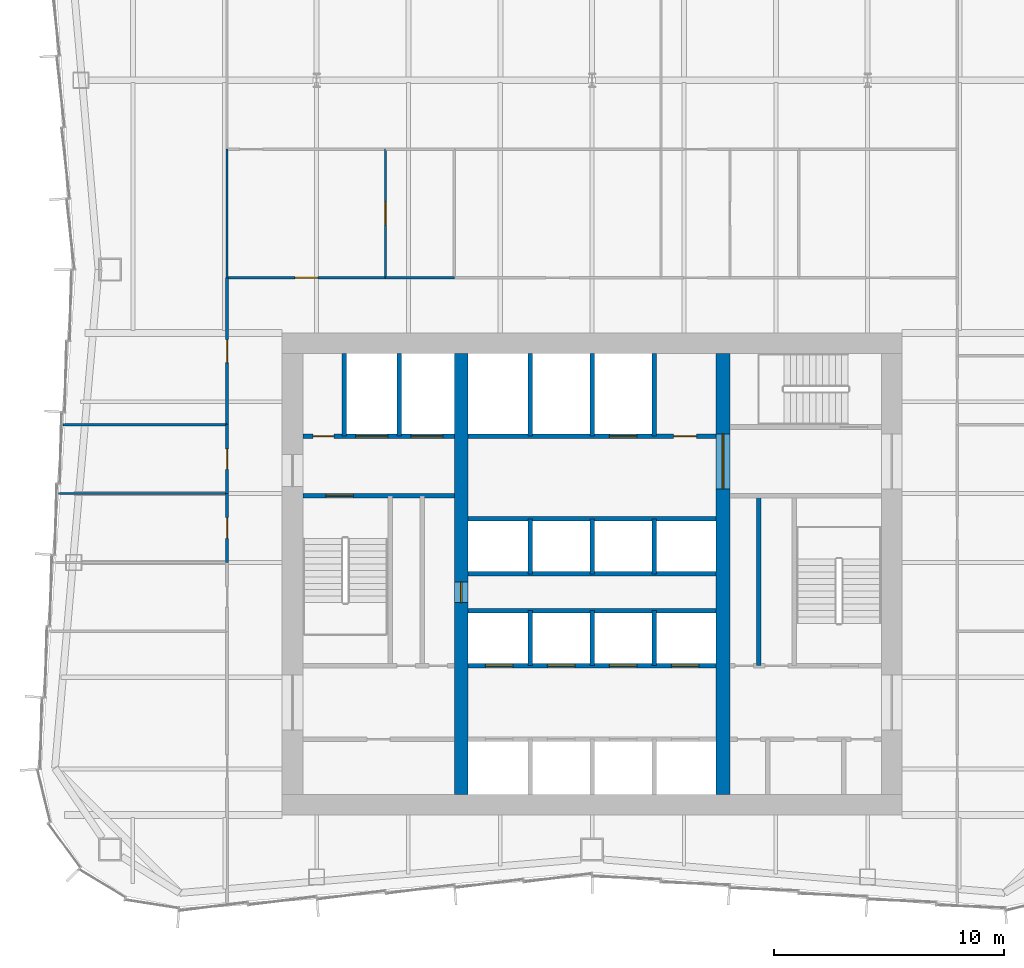
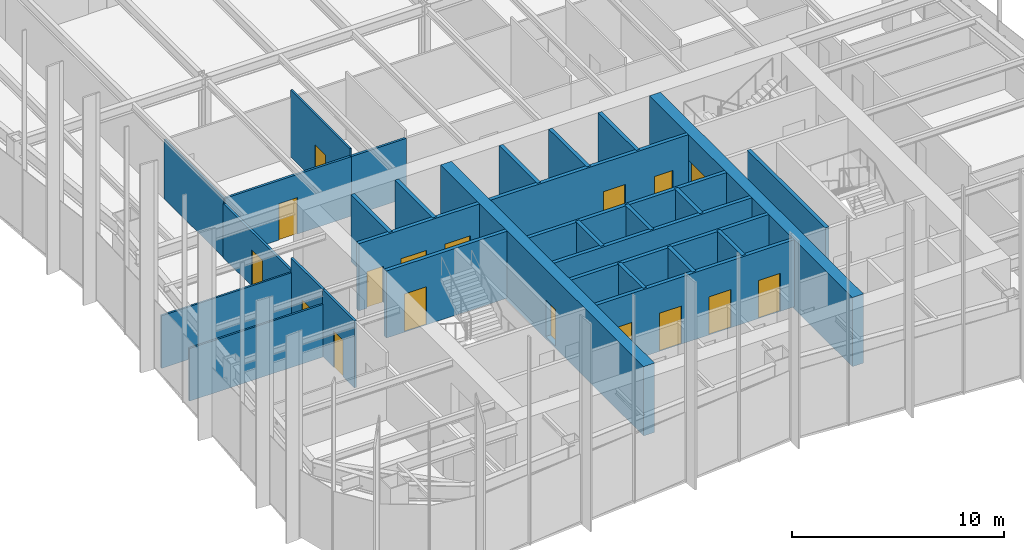
# One storey, part 10 of 13: 30 walls, 17 doors, 17 openings.
"""IFC4 building model written with IfcOpenShell, lengths in metres."""

from ifc_helpers import new_model, si_unit, direction, frame, frame_2d, origin, place, context, subcontext, project, spatial, rectangle, extrude, material, layer, layer_set, type_object, element, fill, save


model = new_model("IFC4")

# Units and contexts
model_context = context("Model", 3, precision=1e-05, world=origin(), true_north=direction((0.0, 1.0)))
body_context = subcontext(model_context, "Body", "Model", "MODEL_VIEW")
ifc_project = project(units=[si_unit("LENGTHUNIT", "METRE"), si_unit("AREAUNIT", "SQUARE_METRE"), si_unit("VOLUMEUNIT", "CUBIC_METRE"), si_unit("PLANEANGLEUNIT", "RADIAN"), si_unit("MASSUNIT", "GRAM", prefix="KILO")], contexts=[model_context])

# Site, building, storey
site_placement = place(None, origin())
site = spatial("IfcSite", under=ifc_project, at=site_placement, CompositionType="ELEMENT")
building_placement = place(site_placement, origin())
building = spatial("IfcBuilding", under=site, at=building_placement, Name="Verdant Reach Tower", CompositionType="ELEMENT")
storey_placement = place(building_placement, frame((0.0, 0.0, 182.0)))
storey = spatial("IfcBuildingStorey", under=building, at=storey_placement, Name="L41", CompositionType="ELEMENT", Elevation=182.0)

# Wall
ifc_material_1 = material(Name="Gypsum board on steel studs", Category="steel")
ifc_layer_1 = layer(ifc_material_1, 0.199951171875)
ifc_layer_set_1 = layer_set([ifc_layer_1], Name="CO-WALL-ROOM")
wall_type_1 = type_object("IfcWallType", Name="CO-WALL-ROOM", PredefinedType="PARTITIONING", material=ifc_layer_set_1)
wall_1_placement = place(storey_placement, frame((7.260009765625, 24.0, 0.0), z_axis=(0.0, 0.0, 1.0), x_axis=(0.0, 1.0, 0.0)))
element("IfcWall", 1, at=wall_1_placement, inside=storey, type_object=wall_type_1, Name="Core partition, L41", PredefinedType="PARTITIONING", context=body_context, shape_type="SweptSolid", body=[
    extrude(rectangle(XDim=7.39990234375, YDim=0.199951171875, at=frame_2d((3.699951171875, 0.0))), origin(), (0.0, 0.0, 1.0), 3.8701171875),
])

# Wall, openings, doors
ifc_material_2 = material(Name="Concrete C40/50", Category="concrete")
ifc_layer_2 = layer(ifc_material_2, 0.199951171875)
ifc_layer_set_2 = layer_set([ifc_layer_2], Name="CO-WALL-SHAFT")
wall_type_2 = type_object("IfcWallType", Name="CO-WALL-SHAFT", PredefinedType="PARTITIONING", material=ifc_layer_set_2)
wall_2_placement = place(storey_placement, frame((-5.39990234375, 24.0, 0.0), z_axis=(0.0, 0.0, 1.0), x_axis=(1.0, 0.0, 0.0)))
wall_2 = element("IfcWall", 2, at=wall_2_placement, inside=storey, type_object=wall_type_2, Name="Lift shaft wall, L41", PredefinedType="PARTITIONING", context=body_context, shape_type="SweptSolid", body=[
    extrude(rectangle(XDim=10.7998046875, YDim=0.199951171875, at=frame_2d((5.39990234375, 0.0))), origin(), (0.0, 0.0, 1.0), 3.8701171875),
])
opening_1_placement = place(wall_2_placement, frame((0.75, 0.0, 0.0)))
opening_1 = element("IfcOpeningElement", 3, at=opening_1_placement, cuts=wall_2, Name="Opening LD-A5", PredefinedType="OPENING", context=body_context, shape_type="SweptSolid", body=[
    extrude(rectangle(XDim=1.199951171875, YDim=2.199951171875, at=frame_2d((0.60009765625, 1.10009765625))), frame((0.0, 0.10986328125, 0.0), z_axis=(0.0, -1.0, 0.0), x_axis=(1.0, 0.0, 0.0)), (0.0, 0.0, 1.0), 0.219970703125),
])
opening_2_placement = place(wall_2_placement, frame((3.449951171875, 0.0, 0.0)))
opening_2 = element("IfcOpeningElement", 4, at=opening_2_placement, cuts=wall_2, Name="Opening LD-A6", PredefinedType="OPENING", context=body_context, shape_type="SweptSolid", body=[
    extrude(rectangle(XDim=1.199951171875, YDim=2.199951171875, at=frame_2d((0.60009765625, 1.10009765625))), frame((0.0, 0.10986328125, 0.0), z_axis=(0.0, -1.0, 0.0), x_axis=(1.0, 0.0, 0.0)), (0.0, 0.0, 1.0), 0.219970703125),
])
opening_3_placement = place(wall_2_placement, frame((6.14990234375, 0.0, 0.0)))
opening_3 = element("IfcOpeningElement", 5, at=opening_3_placement, cuts=wall_2, Name="Opening LD-A7", PredefinedType="OPENING", context=body_context, shape_type="SweptSolid", body=[
    extrude(rectangle(XDim=1.199951171875, YDim=2.199951171875, at=frame_2d((0.60009765625, 1.10009765625))), frame((0.0, 0.10986328125, 0.0), z_axis=(0.0, -1.0, 0.0), x_axis=(1.0, 0.0, 0.0)), (0.0, 0.0, 1.0), 0.219970703125),
])
opening_4_placement = place(wall_2_placement, frame((8.85009765625, 0.0, 0.0)))
opening_4 = element("IfcOpeningElement", 6, at=opening_4_placement, cuts=wall_2, Name="Opening LD-A8", PredefinedType="OPENING", context=body_context, shape_type="SweptSolid", body=[
    extrude(rectangle(XDim=1.199951171875, YDim=2.199951171875, at=frame_2d((0.60009765625, 1.10009765625))), frame((0.0, 0.10986328125, 0.0), z_axis=(0.0, -1.0, 0.0), x_axis=(1.0, 0.0, 0.0)), (0.0, 0.0, 1.0), 0.219970703125),
])
ifc_material_3 = material(Name="Stainless steel", Category="steel")
door_type_1 = type_object("IfcDoorType", Name="CO-DOOR-LANDING", OperationType="SLIDING_TO_LEFT", PredefinedType="DOOR", material=ifc_material_3)
door_1_placement = place(opening_1_placement, origin())
door_1 = element("IfcDoor", 7, at=door_1_placement, inside=storey, type_object=door_type_1, Name="Landing door A5, L41", OperationType="SLIDING_TO_LEFT", OverallHeight=2.199951171875, OverallWidth=1.199951171875, PredefinedType="DOOR", context=body_context, shape_type="SweptSolid", body=[
    extrude(rectangle(XDim=1.199951171875, YDim=2.199951171875, at=frame_2d((0.60009765625, 1.10009765625))), frame((0.0, 0.02490234375, 0.0), z_axis=(0.0, -1.0, 0.0), x_axis=(1.0, 0.0, 0.0)), (0.0, 0.0, 1.0), 0.050048828125),
])
fill(opening_1, door_1)
door_2_placement = place(opening_2_placement, origin())
door_2 = element("IfcDoor", 8, at=door_2_placement, inside=storey, type_object=door_type_1, Name="Landing door A6, L41", OperationType="SLIDING_TO_LEFT", OverallHeight=2.199951171875, OverallWidth=1.199951171875, PredefinedType="DOOR", context=body_context, shape_type="SweptSolid", body=[
    extrude(rectangle(XDim=1.199951171875, YDim=2.199951171875, at=frame_2d((0.60009765625, 1.10009765625))), frame((0.0, 0.02490234375, 0.0), z_axis=(0.0, -1.0, 0.0), x_axis=(1.0, 0.0, 0.0)), (0.0, 0.0, 1.0), 0.050048828125),
])
fill(opening_2, door_2)
door_3_placement = place(opening_3_placement, origin())
door_3 = element("IfcDoor", 9, at=door_3_placement, inside=storey, type_object=door_type_1, Name="Landing door A7, L41", OperationType="SLIDING_TO_LEFT", OverallHeight=2.199951171875, OverallWidth=1.199951171875, PredefinedType="DOOR", context=body_context, shape_type="SweptSolid", body=[
    extrude(rectangle(XDim=1.199951171875, YDim=2.199951171875, at=frame_2d((0.60009765625, 1.10009765625))), frame((0.0, 0.02490234375, 0.0), z_axis=(0.0, -1.0, 0.0), x_axis=(1.0, 0.0, 0.0)), (0.0, 0.0, 1.0), 0.050048828125),
])
fill(opening_3, door_3)
door_4_placement = place(opening_4_placement, origin())
door_4 = element("IfcDoor", 10, at=door_4_placement, inside=storey, type_object=door_type_1, Name="Landing door A8, L41", OperationType="SLIDING_TO_LEFT", OverallHeight=2.199951171875, OverallWidth=1.199951171875, PredefinedType="DOOR", context=body_context, shape_type="SweptSolid", body=[
    extrude(rectangle(XDim=1.199951171875, YDim=2.199951171875, at=frame_2d((0.60009765625, 1.10009765625))), frame((0.0, 0.02490234375, 0.0), z_axis=(0.0, -1.0, 0.0), x_axis=(1.0, 0.0, 0.0)), (0.0, 0.0, 1.0), 0.050048828125),
])
fill(opening_4, door_4)

# Walls
for number, where, z_axis, x_axis, name in (
    (11, (-5.39990234375, 26.39990234375, 0.0), (0.0, 0.0, 1.0), (1.0, 0.0, 0.0), "Lift shaft wall, L41"),
    (12, (-5.39990234375, 28.0, 0.0), (0.0, 0.0, 1.0), (1.0, 0.0, 0.0), "Lift shaft wall, L41"),
    (13, (-5.39990234375, 30.39990234375, 0.0), (0.0, 0.0, 1.0), (1.0, 0.0, 0.0), "Lift shaft wall, L41"),
):
    element("IfcWall", number, at=place(storey_placement, frame(where, z_axis=z_axis, x_axis=x_axis)), inside=storey, type_object=wall_type_2, Name=name, PredefinedType="PARTITIONING", context=body_context, shape_type="SweptSolid", body=[
        extrude(rectangle(XDim=10.7998046875, YDim=0.199951171875, at=frame_2d((5.39990234375, 0.0))), origin(), (0.0, 0.0, 1.0), 3.8701171875),
    ])

# Wall, openings, doors
wall_3_placement = place(storey_placement, frame((-12.60009765625, 34.0, 0.0), z_axis=(0.0, 0.0, 1.0), x_axis=(1.0, 0.0, 0.0)))
wall_3 = element("IfcWall", 14, at=wall_3_placement, inside=storey, type_object=wall_type_2, Name="Lift shaft wall, L41", PredefinedType="PARTITIONING", context=body_context, shape_type="SweptSolid", body=[
    extrude(rectangle(XDim=6.60009765625, YDim=0.199951171875, at=frame_2d((3.300048828125, 0.0))), origin(), (0.0, 0.0, 1.0), 3.8701171875),
])
opening_5_placement = place(wall_3_placement, frame((4.699951171875, 0.0, 0.0)))
opening_5 = element("IfcOpeningElement", 15, at=opening_5_placement, cuts=wall_3, Name="Opening LD-F1", PredefinedType="OPENING", context=body_context, shape_type="SweptSolid", body=[
    extrude(rectangle(XDim=1.39990234375, YDim=2.199951171875, at=frame_2d((0.699951171875, 1.10009765625))), frame((0.0, 0.10986328125, 0.0), z_axis=(0.0, -1.0, 0.0), x_axis=(1.0, 0.0, 0.0)), (0.0, 0.0, 1.0), 0.219970703125),
])
opening_6_placement = place(wall_3_placement, frame((2.300048828125, 0.0, 0.0)))
opening_6 = element("IfcOpeningElement", 16, at=opening_6_placement, cuts=wall_3, Name="Opening LD-F2", PredefinedType="OPENING", context=body_context, shape_type="SweptSolid", body=[
    extrude(rectangle(XDim=1.39990234375, YDim=2.199951171875, at=frame_2d((0.699951171875, 1.10009765625))), frame((0.0, 0.10986328125, 0.0), z_axis=(0.0, -1.0, 0.0), x_axis=(1.0, 0.0, 0.0)), (0.0, 0.0, 1.0), 0.219970703125),
])
opening_7_placement = place(wall_3_placement, frame((0.449951171875, 0.0, 0.0)))
opening_7 = element("IfcOpeningElement", 17, at=opening_7_placement, cuts=wall_3, Name="Opening RD", PredefinedType="OPENING", context=body_context, shape_type="SweptSolid", body=[
    extrude(rectangle(XDim=0.89990234375, YDim=2.10009765625, at=frame_2d((0.449951171875, 1.050048828125))), frame((0.0, 0.10986328125, 0.0), z_axis=(0.0, -1.0, 0.0), x_axis=(1.0, 0.0, 0.0)), (0.0, 0.0, 1.0), 0.219970703125),
])
door_type_2 = type_object("IfcDoorType", Name="CO-DOOR-LANDING-FF", OperationType="SLIDING_TO_LEFT", PredefinedType="DOOR", material=ifc_material_3)
door_5_placement = place(opening_5_placement, origin())
door_5 = element("IfcDoor", 18, at=door_5_placement, inside=storey, type_object=door_type_2, Name="Landing door F1, L41", OperationType="SLIDING_TO_LEFT", OverallHeight=2.199951171875, OverallWidth=1.39990234375, PredefinedType="DOOR", context=body_context, shape_type="SweptSolid", body=[
    extrude(rectangle(XDim=1.39990234375, YDim=2.199951171875, at=frame_2d((0.699951171875, 1.10009765625))), frame((0.0, 0.02490234375, 0.0), z_axis=(0.0, -1.0, 0.0), x_axis=(1.0, 0.0, 0.0)), (0.0, 0.0, 1.0), 0.050048828125),
])
fill(opening_5, door_5)
door_6_placement = place(opening_6_placement, origin())
door_6 = element("IfcDoor", 19, at=door_6_placement, inside=storey, type_object=door_type_2, Name="Landing door F2, L41", OperationType="SLIDING_TO_LEFT", OverallHeight=2.199951171875, OverallWidth=1.39990234375, PredefinedType="DOOR", context=body_context, shape_type="SweptSolid", body=[
    extrude(rectangle(XDim=1.39990234375, YDim=2.199951171875, at=frame_2d((0.699951171875, 1.10009765625))), frame((0.0, 0.02490234375, 0.0), z_axis=(0.0, -1.0, 0.0), x_axis=(1.0, 0.0, 0.0)), (0.0, 0.0, 1.0), 0.050048828125),
])
fill(opening_6, door_6)
ifc_material_4 = material(Name="Steel", Category="steel")
door_type_3 = type_object("IfcDoorType", Name="CO-DOOR-RISER", OperationType="NOTDEFINED", PredefinedType="DOOR", material=ifc_material_4)
door_7_placement = place(opening_7_placement, origin())
door_7 = element("IfcDoor", 20, at=door_7_placement, inside=storey, type_object=door_type_3, Name="Core room door, L41", OperationType="SINGLE_SWING_RIGHT", OverallHeight=2.10009765625, OverallWidth=0.89990234375, PredefinedType="DOOR", context=body_context, shape_type="SweptSolid", body=[
    extrude(rectangle(XDim=0.89990234375, YDim=2.10009765625, at=frame_2d((0.449951171875, 1.050048828125))), frame((0.0, 0.02490234375, 0.0), z_axis=(0.0, -1.0, 0.0), x_axis=(1.0, 0.0, 0.0)), (0.0, 0.0, 1.0), 0.050048828125),
])
fill(opening_7, door_7)

wall_4_placement = place(storey_placement, frame((-5.39990234375, 34.0, 0.0), z_axis=(0.0, 0.0, 1.0), x_axis=(1.0, 0.0, 0.0)))
wall_4 = element("IfcWall", 21, at=wall_4_placement, inside=storey, type_object=wall_type_2, Name="Lift shaft wall, L41", PredefinedType="PARTITIONING", context=body_context, shape_type="SweptSolid", body=[
    extrude(rectangle(XDim=10.7998046875, YDim=0.199951171875, at=frame_2d((5.39990234375, 0.0))), origin(), (0.0, 0.0, 1.0), 3.8701171875),
])
opening_8_placement = place(wall_4_placement, frame((6.14990234375, 0.0, 0.0)))
opening_8 = element("IfcOpeningElement", 22, at=opening_8_placement, cuts=wall_4, Name="Opening LD-SL1", PredefinedType="OPENING", context=body_context, shape_type="SweptSolid", body=[
    extrude(rectangle(XDim=1.199951171875, YDim=2.199951171875, at=frame_2d((0.60009765625, 1.10009765625))), frame((0.0, 0.10986328125, 0.0), z_axis=(0.0, -1.0, 0.0), x_axis=(1.0, 0.0, 0.0)), (0.0, 0.0, 1.0), 0.219970703125),
])
opening_9_placement = place(wall_4_placement, frame((8.949951171875, 0.0, 0.0)))
opening_9 = element("IfcOpeningElement", 23, at=opening_9_placement, cuts=wall_4, Name="Opening CD", PredefinedType="OPENING", context=body_context, shape_type="SweptSolid", body=[
    extrude(rectangle(XDim=1.0, YDim=2.10009765625, at=frame_2d((0.5, 1.050048828125))), frame((0.0, 0.10986328125, 0.0), z_axis=(0.0, -1.0, 0.0), x_axis=(1.0, 0.0, 0.0)), (0.0, 0.0, 1.0), 0.219970703125),
])
door_8_placement = place(opening_8_placement, origin())
door_8 = element("IfcDoor", 24, at=door_8_placement, inside=storey, type_object=door_type_1, Name="Landing door SL1, L41", OperationType="SLIDING_TO_LEFT", OverallHeight=2.199951171875, OverallWidth=1.199951171875, PredefinedType="DOOR", context=body_context, shape_type="SweptSolid", body=[
    extrude(rectangle(XDim=1.199951171875, YDim=2.199951171875, at=frame_2d((0.60009765625, 1.10009765625))), frame((0.0, 0.02490234375, 0.0), z_axis=(0.0, -1.0, 0.0), x_axis=(1.0, 0.0, 0.0)), (0.0, 0.0, 1.0), 0.050048828125),
])
fill(opening_8, door_8)
ifc_material_5 = material(Name="Timber", Category="wood")
door_type_4 = type_object("IfcDoorType", Name="CO-DOOR-ROOM", OperationType="NOTDEFINED", PredefinedType="DOOR", material=ifc_material_5)
door_9_placement = place(opening_9_placement, origin())
door_9 = element("IfcDoor", 25, at=door_9_placement, inside=storey, type_object=door_type_4, Name="Core room door, L41", OperationType="SINGLE_SWING_LEFT", OverallHeight=2.10009765625, OverallWidth=1.0, PredefinedType="DOOR", context=body_context, shape_type="SweptSolid", body=[
    extrude(rectangle(XDim=1.0, YDim=2.10009765625, at=frame_2d((0.5, 1.050048828125))), frame((0.0, 0.02490234375, 0.0), z_axis=(0.0, -1.0, 0.0), x_axis=(1.0, 0.0, 0.0)), (0.0, 0.0, 1.0), 0.050048828125),
])
fill(opening_9, door_9)

# Walls
for number, where, z_axis, x_axis, name in (
    (26, (-10.800048828125, 34.0, 0.0), (0.0, 0.0, 1.0), (0.0, 1.0, 0.0), "Lift shaft wall, L41"),
    (27, (-8.39990234375, 34.0, 0.0), (0.0, 0.0, 1.0), (0.0, 1.0, 0.0), "Lift shaft wall, L41"),
):
    element("IfcWall", number, at=place(storey_placement, frame(where, z_axis=z_axis, x_axis=x_axis)), inside=storey, type_object=wall_type_2, Name=name, PredefinedType="PARTITIONING", context=body_context, shape_type="SweptSolid", body=[
        extrude(rectangle(XDim=3.60009765625, YDim=0.199951171875, at=frame_2d((1.800048828125, 0.0))), origin(), (0.0, 0.0, 1.0), 3.8701171875),
    ])
for number, where, z_axis, x_axis, name in (
    (28, (-2.699951171875, 24.0, 0.0), (0.0, 0.0, 1.0), (0.0, 1.0, 0.0), "Lift shaft wall, L41"),
    (29, (-2.699951171875, 28.0, 0.0), (0.0, 0.0, 1.0), (0.0, 1.0, 0.0), "Lift shaft wall, L41"),
):
    element("IfcWall", number, at=place(storey_placement, frame(where, z_axis=z_axis, x_axis=x_axis)), inside=storey, type_object=wall_type_2, Name=name, PredefinedType="PARTITIONING", context=body_context, shape_type="SweptSolid", body=[
        extrude(rectangle(XDim=2.39990234375, YDim=0.199951171875, at=frame_2d((1.199951171875, 0.0))), origin(), (0.0, 0.0, 1.0), 3.8701171875),
    ])
wall_5_placement = place(storey_placement, frame((-2.699951171875, 34.0, 0.0), z_axis=(0.0, 0.0, 1.0), x_axis=(0.0, 1.0, 0.0)))
element("IfcWall", 30, at=wall_5_placement, inside=storey, type_object=wall_type_2, Name="Lift shaft wall, L41", PredefinedType="PARTITIONING", context=body_context, shape_type="SweptSolid", body=[
    extrude(rectangle(XDim=3.60009765625, YDim=0.199951171875, at=frame_2d((1.800048828125, 0.0))), origin(), (0.0, 0.0, 1.0), 3.8701171875),
])
for number, where, z_axis, x_axis, name in (
    (31, (0.0, 24.0, 0.0), (0.0, 0.0, 1.0), (0.0, 1.0, 0.0), "Lift shaft wall, L41"),
    (32, (0.0, 28.0, 0.0), (0.0, 0.0, 1.0), (0.0, 1.0, 0.0), "Lift shaft wall, L41"),
):
    element("IfcWall", number, at=place(storey_placement, frame(where, z_axis=z_axis, x_axis=x_axis)), inside=storey, type_object=wall_type_2, Name=name, PredefinedType="PARTITIONING", context=body_context, shape_type="SweptSolid", body=[
        extrude(rectangle(XDim=2.39990234375, YDim=0.199951171875, at=frame_2d((1.199951171875, 0.0))), origin(), (0.0, 0.0, 1.0), 3.8701171875),
    ])
wall_6_placement = place(storey_placement, frame((0.0, 34.0, 0.0), z_axis=(0.0, 0.0, 1.0), x_axis=(0.0, 1.0, 0.0)))
element("IfcWall", 33, at=wall_6_placement, inside=storey, type_object=wall_type_2, Name="Lift shaft wall, L41", PredefinedType="PARTITIONING", context=body_context, shape_type="SweptSolid", body=[
    extrude(rectangle(XDim=3.60009765625, YDim=0.199951171875, at=frame_2d((1.800048828125, 0.0))), origin(), (0.0, 0.0, 1.0), 3.8701171875),
])
for number, where, z_axis, x_axis, name in (
    (34, (2.699951171875, 24.0, 0.0), (0.0, 0.0, 1.0), (0.0, 1.0, 0.0), "Lift shaft wall, L41"),
    (35, (2.699951171875, 28.0, 0.0), (0.0, 0.0, 1.0), (0.0, 1.0, 0.0), "Lift shaft wall, L41"),
):
    element("IfcWall", number, at=place(storey_placement, frame(where, z_axis=z_axis, x_axis=x_axis)), inside=storey, type_object=wall_type_2, Name=name, PredefinedType="PARTITIONING", context=body_context, shape_type="SweptSolid", body=[
        extrude(rectangle(XDim=2.39990234375, YDim=0.199951171875, at=frame_2d((1.199951171875, 0.0))), origin(), (0.0, 0.0, 1.0), 3.8701171875),
    ])
wall_7_placement = place(storey_placement, frame((2.699951171875, 34.0, 0.0), z_axis=(0.0, 0.0, 1.0), x_axis=(0.0, 1.0, 0.0)))
element("IfcWall", 36, at=wall_7_placement, inside=storey, type_object=wall_type_2, Name="Lift shaft wall, L41", PredefinedType="PARTITIONING", context=body_context, shape_type="SweptSolid", body=[
    extrude(rectangle(XDim=3.60009765625, YDim=0.199951171875, at=frame_2d((1.800048828125, 0.0))), origin(), (0.0, 0.0, 1.0), 3.8701171875),
])

# Wall, opening, door
ifc_layer_3 = layer(ifc_material_2, 0.199951171875)
ifc_layer_set_3 = layer_set([ifc_layer_3], Name="CO-WALL-STAIR")
wall_type_3 = type_object("IfcWallType", Name="CO-WALL-STAIR", PredefinedType="PARTITIONING", material=ifc_layer_set_3)
wall_8_placement = place(storey_placement, frame((-12.60009765625, 31.39990234375, 0.0), z_axis=(0.0, 0.0, 1.0), x_axis=(1.0, 0.0, 0.0)))
wall_8 = element("IfcWall", 37, at=wall_8_placement, inside=storey, type_object=wall_type_3, Name="Stair enclosure wall, L41", PredefinedType="PARTITIONING", context=body_context, shape_type="SweptSolid", body=[
    extrude(rectangle(XDim=6.60009765625, YDim=0.199951171875, at=frame_2d((3.300048828125, 0.0))), origin(), (0.0, 0.0, 1.0), 3.8701171875),
])
opening_10_placement = place(wall_8_placement, frame((1.0, 0.0, 0.0)))
opening_10 = element("IfcOpeningElement", 38, at=opening_10_placement, cuts=wall_8, Name="Opening SD", PredefinedType="OPENING", context=body_context, shape_type="SweptSolid", body=[
    extrude(rectangle(XDim=1.199951171875, YDim=2.199951171875, at=frame_2d((0.60009765625, 1.10009765625))), frame((0.0, 0.10986328125, 0.0), z_axis=(0.0, -1.0, 0.0), x_axis=(1.0, 0.0, 0.0)), (0.0, 0.0, 1.0), 0.219970703125),
])
door_type_5 = type_object("IfcDoorType", Name="CO-DOOR-STAIR", OperationType="NOTDEFINED", PredefinedType="DOOR", material=ifc_material_4)
door_10_placement = place(opening_10_placement, origin())
door_10 = element("IfcDoor", 39, at=door_10_placement, inside=storey, type_object=door_type_5, Name="Stair door, L41", OperationType="SINGLE_SWING_RIGHT", OverallHeight=2.199951171875, OverallWidth=1.199951171875, PredefinedType="DOOR", context=body_context, shape_type="SweptSolid", body=[
    extrude(rectangle(XDim=1.199951171875, YDim=2.199951171875, at=frame_2d((0.60009765625, 1.10009765625))), frame((0.0, 0.02490234375, 0.0), z_axis=(0.0, -1.0, 0.0), x_axis=(1.0, 0.0, 0.0)), (0.0, 0.0, 1.0), 0.050048828125),
])
fill(opening_10, door_10)

ifc_layer_4 = layer(ifc_material_1, 0.10009765625)
ifc_layer_set_4 = layer_set([ifc_layer_4], Name="FL-W1 Partition 100")
wall_type_4 = type_object("IfcWallType", Name="FL-W1 Partition 100", PredefinedType="PARTITIONING", material=ifc_layer_set_4)
wall_9_placement = place(storey_placement, frame((-9.0, 46.5, 0.0), z_axis=(0.0, 0.0, 1.0), x_axis=(0.0, -1.0, 0.0)))
wall_9 = element("IfcWall", 40, at=wall_9_placement, inside=storey, type_object=wall_type_4, Name="Partition 41.16", PredefinedType="PARTITIONING", context=body_context, shape_type="SweptSolid", body=[
    extrude(rectangle(XDim=5.60009765625, YDim=0.10009765625, at=frame_2d((2.800048828125, 0.0))), origin(), (0.0, 0.0, 1.0), 3.8701171875),
])
opening_11_placement = place(wall_9_placement, frame((2.300048828125, 0.0, 0.0)))
opening_11 = element("IfcOpeningElement", 41, at=opening_11_placement, cuts=wall_9, Name="Opening D3", PredefinedType="OPENING", context=body_context, shape_type="SweptSolid", body=[
    extrude(rectangle(XDim=1.0, YDim=2.10009765625, at=frame_2d((0.5, 1.050048828125))), frame((0.0, 0.06005859375, 0.0), z_axis=(0.0, -1.0, 0.0), x_axis=(1.0, 0.0, 0.0)), (0.0, 0.0, 1.0), 0.1201171875),
])
ifc_material_6 = material(Name="Painted timber door leaf", Category="wood")
door_type_6 = type_object("IfcDoorType", Name="FL-D3 Door 1000x2100", OperationType="NOTDEFINED", PredefinedType="DOOR", material=ifc_material_6)
door_11_placement = place(opening_11_placement, origin())
door_11 = element("IfcDoor", 42, at=door_11_placement, inside=storey, type_object=door_type_6, Name="Door 41-014", OperationType="SINGLE_SWING_RIGHT", OverallHeight=2.10009765625, OverallWidth=1.0, PredefinedType="DOOR", context=body_context, shape_type="SweptSolid", body=[
    extrude(rectangle(XDim=1.0, YDim=2.10009765625, at=frame_2d((0.5, 1.050048828125))), frame((0.0, 0.02490234375, 0.0), z_axis=(0.0, -1.0, 0.0), x_axis=(1.0, 0.0, 0.0)), (0.0, 0.0, 1.0), 0.050048828125),
])
fill(opening_11, door_11)

# Walls
wall_10_placement = place(storey_placement, frame((-15.89990234375, 46.50390625, 0.0), z_axis=(0.0, 0.0, 1.0), x_axis=(0.0, -1.0, 0.0)))
element("IfcWall", 43, at=wall_10_placement, inside=storey, type_object=wall_type_4, Name="Partition 41.18", PredefinedType="PARTITIONING", context=body_context, shape_type="SweptSolid", body=[
    extrude(rectangle(XDim=5.60791015625, YDim=0.10009765625, at=frame_2d((2.803955078125, 0.0))), origin(), (0.0, 0.0, 1.0), 3.43994140625),
])
wall_11_placement = place(storey_placement, frame((-15.89990234375, 31.5, 0.0), z_axis=(0.0, 0.0, 1.0), x_axis=(-1.0, 0.0, 0.0)))
element("IfcWall", 44, at=wall_11_placement, inside=storey, type_object=wall_type_4, Name="Partition 41.41", PredefinedType="PARTITIONING", context=body_context, shape_type="SweptSolid", body=[
    extrude(rectangle(XDim=7.3525390625, YDim=0.10009765625, at=frame_2d((3.67626953125, 0.0))), origin(), (0.0, 0.0, 1.0), 3.0400390625),
])
wall_12_placement = place(storey_placement, frame((-15.89990234375, 34.5, 0.0), z_axis=(0.0, 0.0, 1.0), x_axis=(-1.0, 0.0, 0.0)))
element("IfcWall", 45, at=wall_12_placement, inside=storey, type_object=wall_type_4, Name="Partition 41.42", PredefinedType="PARTITIONING", context=body_context, shape_type="SweptSolid", body=[
    extrude(rectangle(XDim=7.1455078125, YDim=0.10009765625, at=frame_2d((3.57275390625, 0.0))), origin(), (0.0, 0.0, 1.0), 3.0400390625),
])

# Wall, opening, door
ifc_material_7 = material(Name="Gypsum board on steel studs, fire rated", Category="steel")
ifc_layer_5 = layer(ifc_material_7, 0.125)
ifc_layer_set_5 = layer_set([ifc_layer_5], Name="FL-W2 Corridor wall 125")
wall_type_5 = type_object("IfcWallType", Name="FL-W2 Corridor wall 125", PredefinedType="PARTITIONING", material=ifc_layer_set_5)
wall_13_placement = place(storey_placement, frame((-15.89990234375, 40.89990234375, 0.0), z_axis=(0.0, 0.0, 1.0), x_axis=(1.0, 0.0, 0.0)))
wall_13 = element("IfcWall", 46, at=wall_13_placement, inside=storey, type_object=wall_type_5, Name="Partition 41.01", PredefinedType="PARTITIONING", context=body_context, shape_type="SweptSolid", body=[
    extrude(rectangle(XDim=6.89990234375, YDim=0.125, at=frame_2d((3.449951171875, 0.0))), origin(), (0.0, 0.0, 1.0), 3.43994140625),
])
opening_12_placement = place(wall_13_placement, frame((2.949951171875, 0.0, 0.0)))
opening_12 = element("IfcOpeningElement", 47, at=opening_12_placement, cuts=wall_13, Name="Opening D2", PredefinedType="OPENING", context=body_context, shape_type="SweptSolid", body=[
    extrude(rectangle(XDim=1.0, YDim=2.10009765625, at=frame_2d((0.5, 1.050048828125))), frame((0.0, 0.072509765625, 0.0), z_axis=(0.0, -1.0, 0.0), x_axis=(1.0, 0.0, 0.0)), (0.0, 0.0, 1.0), 0.14501953125),
])
ifc_material_8 = material(Name="Timber door leaf, fire rated", Category="wood")
door_type_7 = type_object("IfcDoorType", Name="FL-D2 Entrance door 1000x2100 FD30", OperationType="NOTDEFINED", PredefinedType="DOOR", material=ifc_material_8)
door_12_placement = place(opening_12_placement, origin())
door_12 = element("IfcDoor", 48, at=door_12_placement, inside=storey, type_object=door_type_7, Name="Door 41-001", OperationType="SINGLE_SWING_LEFT", OverallHeight=2.10009765625, OverallWidth=1.0, PredefinedType="DOOR", context=body_context, shape_type="SweptSolid", body=[
    extrude(rectangle(XDim=1.0, YDim=2.10009765625, at=frame_2d((0.5, 1.050048828125))), frame((0.0, 0.02490234375, 0.0), z_axis=(0.0, -1.0, 0.0), x_axis=(1.0, 0.0, 0.0)), (0.0, 0.0, 1.0), 0.050048828125),
])
fill(opening_12, door_12)

# Wall
wall_14_placement = place(storey_placement, frame((-6.0, 40.89990234375, 0.0), z_axis=(0.0, 0.0, 1.0), x_axis=(-1.0, 0.0, 0.0)))
element("IfcWall", 49, at=wall_14_placement, inside=storey, type_object=wall_type_5, Name="Partition 41.02", PredefinedType="PARTITIONING", context=body_context, shape_type="SweptSolid", body=[
    extrude(rectangle(XDim=3.0, YDim=0.125, at=frame_2d((1.5, 0.0))), origin(), (0.0, 0.0, 1.0), 3.43994140625),
])

# Wall, opening, door
wall_15_placement = place(storey_placement, frame((-15.89990234375, 28.5, 0.0), z_axis=(0.0, 0.0, 1.0), x_axis=(0.0, 1.0, 0.0)))
wall_15 = element("IfcWall", 50, at=wall_15_placement, inside=storey, type_object=wall_type_5, Name="Partition 41.09", PredefinedType="PARTITIONING", context=body_context, shape_type="SweptSolid", body=[
    extrude(rectangle(XDim=3.0, YDim=0.125, at=frame_2d((1.5, 0.0))), origin(), (0.0, 0.0, 1.0), 3.8701171875),
])
opening_13_placement = place(wall_15_placement, frame((1.050048828125, 0.0, 0.0)))
opening_13 = element("IfcOpeningElement", 51, at=opening_13_placement, cuts=wall_15, Name="Opening D1", PredefinedType="OPENING", context=body_context, shape_type="SweptSolid", body=[
    extrude(rectangle(XDim=0.89990234375, YDim=2.10009765625, at=frame_2d((0.449951171875, 1.050048828125))), frame((0.0, 0.072509765625, 0.0), z_axis=(0.0, -1.0, 0.0), x_axis=(1.0, 0.0, 0.0)), (0.0, 0.0, 1.0), 0.14501953125),
])
door_type_8 = type_object("IfcDoorType", Name="FL-D1 Door 900x2100", OperationType="NOTDEFINED", PredefinedType="DOOR", material=ifc_material_6)
door_13_placement = place(opening_13_placement, origin())
door_13 = element("IfcDoor", 52, at=door_13_placement, inside=storey, type_object=door_type_8, Name="Door 41-007", OperationType="SINGLE_SWING_LEFT", OverallHeight=2.10009765625, OverallWidth=0.89990234375, PredefinedType="DOOR", context=body_context, shape_type="SweptSolid", body=[
    extrude(rectangle(XDim=0.89990234375, YDim=2.10009765625, at=frame_2d((0.449951171875, 1.050048828125))), frame((0.0, 0.02490234375, 0.0), z_axis=(0.0, -1.0, 0.0), x_axis=(1.0, 0.0, 0.0)), (0.0, 0.0, 1.0), 0.050048828125),
])
fill(opening_13, door_13)

wall_16_placement = place(storey_placement, frame((-15.89990234375, 31.5, 0.0), z_axis=(0.0, 0.0, 1.0), x_axis=(0.0, 1.0, 0.0)))
wall_16 = element("IfcWall", 53, at=wall_16_placement, inside=storey, type_object=wall_type_5, Name="Partition 41.10", PredefinedType="PARTITIONING", context=body_context, shape_type="SweptSolid", body=[
    extrude(rectangle(XDim=3.0, YDim=0.125, at=frame_2d((1.5, 0.0))), origin(), (0.0, 0.0, 1.0), 3.8701171875),
])
opening_14_placement = place(wall_16_placement, frame((1.050048828125, 0.0, 0.0)))
opening_14 = element("IfcOpeningElement", 54, at=opening_14_placement, cuts=wall_16, Name="Opening D1", PredefinedType="OPENING", context=body_context, shape_type="SweptSolid", body=[
    extrude(rectangle(XDim=0.89990234375, YDim=2.10009765625, at=frame_2d((0.449951171875, 1.050048828125))), frame((0.0, 0.072509765625, 0.0), z_axis=(0.0, -1.0, 0.0), x_axis=(1.0, 0.0, 0.0)), (0.0, 0.0, 1.0), 0.14501953125),
])
door_14_placement = place(opening_14_placement, origin())
door_14 = element("IfcDoor", 55, at=door_14_placement, inside=storey, type_object=door_type_8, Name="Door 41-008", OperationType="SINGLE_SWING_RIGHT", OverallHeight=2.10009765625, OverallWidth=0.89990234375, PredefinedType="DOOR", context=body_context, shape_type="SweptSolid", body=[
    extrude(rectangle(XDim=0.89990234375, YDim=2.10009765625, at=frame_2d((0.449951171875, 1.050048828125))), frame((0.0, 0.02490234375, 0.0), z_axis=(0.0, -1.0, 0.0), x_axis=(1.0, 0.0, 0.0)), (0.0, 0.0, 1.0), 0.050048828125),
])
fill(opening_14, door_14)

wall_17_placement = place(storey_placement, frame((-15.89990234375, 34.5, 0.0), z_axis=(0.0, 0.0, 1.0), x_axis=(0.0, 1.0, 0.0)))
wall_17 = element("IfcWall", 56, at=wall_17_placement, inside=storey, type_object=wall_type_5, Name="Partition 41.11", PredefinedType="PARTITIONING", context=body_context, shape_type="SweptSolid", body=[
    extrude(rectangle(XDim=6.404052734375, YDim=0.125, at=frame_2d((3.2021484375, 0.0))), origin(), (0.0, 0.0, 1.0), 3.139892578125),
])
opening_15_placement = place(wall_17_placement, frame((2.701904296875, 0.0, 0.0)))
opening_15 = element("IfcOpeningElement", 57, at=opening_15_placement, cuts=wall_17, Name="Opening D2", PredefinedType="OPENING", context=body_context, shape_type="SweptSolid", body=[
    extrude(rectangle(XDim=1.0, YDim=2.10009765625, at=frame_2d((0.5, 1.050048828125))), frame((0.0, 0.072509765625, 0.0), z_axis=(0.0, -1.0, 0.0), x_axis=(1.0, 0.0, 0.0)), (0.0, 0.0, 1.0), 0.14501953125),
])
door_15_placement = place(opening_15_placement, origin())
door_15 = element("IfcDoor", 58, at=door_15_placement, inside=storey, type_object=door_type_7, Name="Door 41-009", OperationType="SINGLE_SWING_LEFT", OverallHeight=2.10009765625, OverallWidth=1.0, PredefinedType="DOOR", context=body_context, shape_type="SweptSolid", body=[
    extrude(rectangle(XDim=1.0, YDim=2.10009765625, at=frame_2d((0.5, 1.050048828125))), frame((0.0, 0.02490234375, 0.0), z_axis=(0.0, -1.0, 0.0), x_axis=(1.0, 0.0, 0.0)), (0.0, 0.0, 1.0), 0.050048828125),
])
fill(opening_15, door_15)

ifc_material_9 = material(Name="Concrete C70/85", Category="concrete")
ifc_layer_6 = layer(ifc_material_9, 0.60009765625)
ifc_layer_set_6 = layer_set([ifc_layer_6], Name="ST-CORE-WALL-600")
wall_type_6 = type_object("IfcWallType", Name="ST-CORE-WALL-600", PredefinedType="SHEAR", material=ifc_layer_set_6)
wall_18_placement = place(storey_placement, frame((-5.699951171875, 18.39990234375, -0.1298828125), z_axis=(0.0, 0.0, 1.0), x_axis=(0.0, 1.0, 0.0)))
wall_18 = element("IfcWall", 59, at=wall_18_placement, inside=storey, type_object=wall_type_6, Name="Core wall XW, L41", PredefinedType="SHEAR", context=body_context, shape_type="SweptSolid", body=[
    extrude(rectangle(XDim=19.2001953125, YDim=0.60009765625, at=frame_2d((9.60009765625, 0.0))), origin(), (0.0, 0.0, 1.0), 4.0),
])
opening_16_placement = place(wall_18_placement, frame((8.35009765625, 0.0, 0.1298828125)))
opening_16 = element("IfcOpeningElement", 60, at=opening_16_placement, cuts=wall_18, Name="Opening RD", PredefinedType="OPENING", context=body_context, shape_type="SweptSolid", body=[
    extrude(rectangle(XDim=0.89990234375, YDim=2.10009765625, at=frame_2d((0.449951171875, 1.050048828125))), frame((0.0, 0.31005859375, 0.0), z_axis=(0.0, -1.0, 0.0), x_axis=(1.0, 0.0, 0.0)), (0.0, 0.0, 1.0), 0.6201171875),
])
door_16_placement = place(opening_16_placement, origin())
door_16 = element("IfcDoor", 61, at=door_16_placement, inside=storey, type_object=door_type_3, Name="Riser door, L41", OperationType="SINGLE_SWING_RIGHT", OverallHeight=2.10009765625, OverallWidth=0.89990234375, PredefinedType="DOOR", context=body_context, shape_type="SweptSolid", body=[
    extrude(rectangle(XDim=0.89990234375, YDim=2.10009765625, at=frame_2d((0.449951171875, 1.050048828125))), frame((0.0, 0.02490234375, 0.0), z_axis=(0.0, -1.0, 0.0), x_axis=(1.0, 0.0, 0.0)), (0.0, 0.0, 1.0), 0.050048828125),
])
fill(opening_16, door_16)

wall_19_placement = place(storey_placement, frame((5.699951171875, 18.39990234375, -0.1298828125), z_axis=(0.0, 0.0, 1.0), x_axis=(0.0, 1.0, 0.0)))
wall_19 = element("IfcWall", 62, at=wall_19_placement, inside=storey, type_object=wall_type_6, Name="Core wall XE, L41", PredefinedType="SHEAR", context=body_context, shape_type="SweptSolid", body=[
    extrude(rectangle(XDim=19.2001953125, YDim=0.60009765625, at=frame_2d((9.60009765625, 0.0))), origin(), (0.0, 0.0, 1.0), 4.0),
])
opening_17_placement = place(wall_19_placement, frame((13.300048828125, 0.0, 0.1298828125)))
opening_17 = element("IfcOpeningElement", 63, at=opening_17_placement, cuts=wall_19, Name="Opening LB", PredefinedType="OPENING", context=body_context, shape_type="SweptSolid", body=[
    extrude(rectangle(XDim=2.39990234375, YDim=2.39990234375, at=frame_2d((1.199951171875, 1.199951171875))), frame((0.0, 0.31005859375, 0.0), z_axis=(0.0, -1.0, 0.0), x_axis=(1.0, 0.0, 0.0)), (0.0, 0.0, 1.0), 0.6201171875),
])
ifc_material_10 = material(Name="Glass and steel", Category="steel")
door_type_9 = type_object("IfcDoorType", Name="CO-DOOR-LOBBY", OperationType="DOUBLE_DOOR_SINGLE_SWING", PredefinedType="DOOR", material=ifc_material_10)
door_17_placement = place(opening_17_placement, origin())
door_17 = element("IfcDoor", 64, at=door_17_placement, inside=storey, type_object=door_type_9, Name="Core entrance door, L41", OperationType="DOUBLE_DOOR_SINGLE_SWING", OverallHeight=2.39990234375, OverallWidth=2.39990234375, PredefinedType="DOOR", context=body_context, shape_type="SweptSolid", body=[
    extrude(rectangle(XDim=2.39990234375, YDim=2.39990234375, at=frame_2d((1.199951171875, 1.199951171875))), frame((0.0, 0.02490234375, 0.0), z_axis=(0.0, -1.0, 0.0), x_axis=(1.0, 0.0, 0.0)), (0.0, 0.0, 1.0), 0.050048828125),
])
fill(opening_17, door_17)

save(model, "model.ifc")
